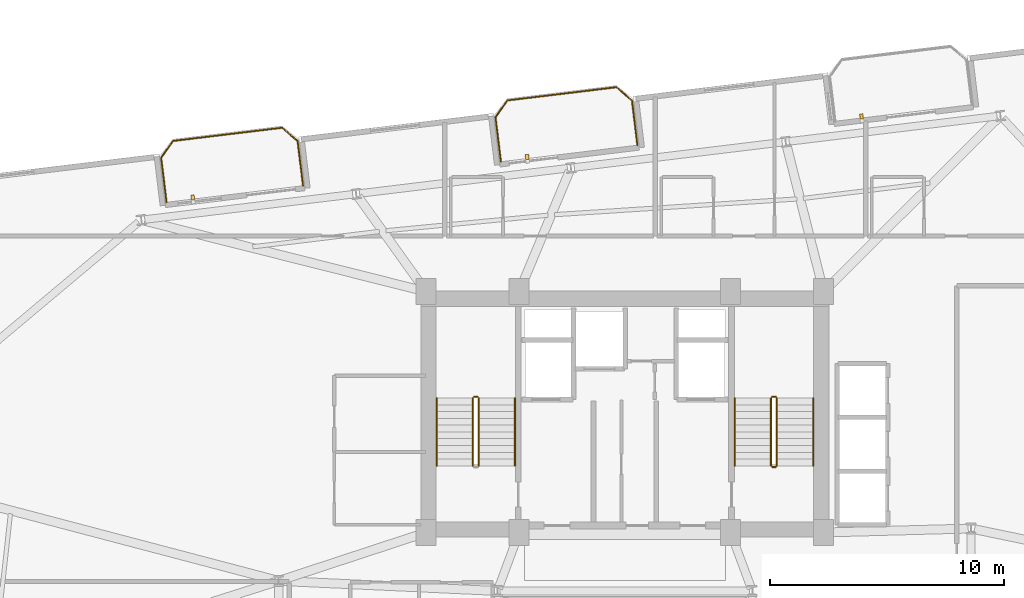
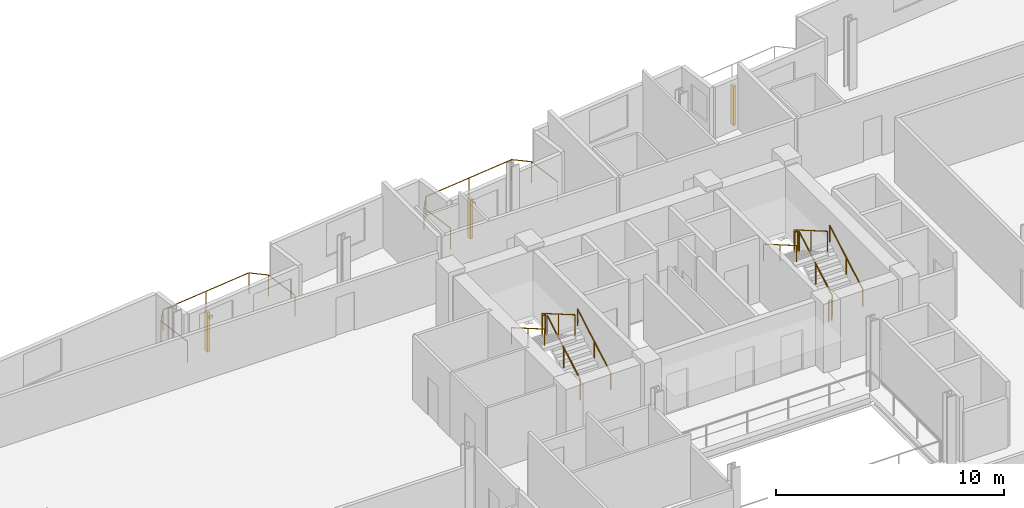
# One storey, part 21 of 22: 13 railings, 3 shading devices.
"""IFC4 building model written with IfcOpenShell, lengths in metres."""

from ifc_helpers import new_model, si_unit, direction, frame, origin, origin_2d, place, context, subcontext, project, spatial, rectangle, circle, extrude, source, transform, mapped, material, type_object, element, save


model = new_model("IFC4")

# Units and contexts
model_context = context("Model", 3, precision=1e-05, world=origin(), true_north=direction((0.0, 1.0)))
body_context = subcontext(model_context, "Body", "Model", "MODEL_VIEW")
ifc_project = project(units=[si_unit("LENGTHUNIT", "METRE"), si_unit("AREAUNIT", "SQUARE_METRE"), si_unit("VOLUMEUNIT", "CUBIC_METRE"), si_unit("PLANEANGLEUNIT", "RADIAN"), si_unit("MASSUNIT", "GRAM", prefix="KILO")], contexts=[model_context])

# Site, building, storey
site_placement = place(None, origin())
site = spatial("IfcSite", under=ifc_project, at=site_placement, CompositionType="ELEMENT")
building_placement = place(site_placement, origin())
building = spatial("IfcBuilding", under=site, at=building_placement, Name="Varnelok Gate Tower", CompositionType="ELEMENT")
storey_placement = place(building_placement, frame((0.0, 0.0, 178.300048828125)))
storey = spatial("IfcBuildingStorey", under=building, at=storey_placement, Name="L45", CompositionType="ELEMENT", Elevation=178.300048828125)

# Railings
ifc_material_1 = material(Name="Low-E Laminated Double Glazing IGU", Category="glass")
railing_type_1 = type_object("IfcRailingType", Name="RL-BALC-1150", PredefinedType="BALUSTRADE", material=ifc_material_1)
railing_1_placement = place(storey_placement, frame((19.603271484375, 42.869384765625, 0.0)))
element("IfcRailing", 1, at=railing_1_placement, inside=storey, type_object=railing_type_1, Name="L45 North Terrace Balustrade 4", PredefinedType="BALUSTRADE", context=body_context, shape_type="SweptSolid", body=[
    extrude(circle(Radius=0.02392578125, at=origin_2d()), frame((0.0, 0.0, 1.1259765625), z_axis=(-0.120418709125, 0.992723191274, 0.0), x_axis=(-0.992723191274, -0.120418709125, 0.0)), (0.0, 0.0, 1.0), 1.919921875),
    extrude(circle(Radius=0.02392578125, at=origin_2d()), frame((-0.231201171875, 1.906005859375, 1.1259765625), z_axis=(0.57815621837, 0.815926091726, 0.0), x_axis=(-0.815926091726, 0.57815621837, 0.0)), (0.0, 0.0, 1.0), 0.8779296875),
    extrude(circle(Radius=0.02392578125, at=origin_2d()), frame((0.2763671875, 2.622314453125, 1.1259765625), z_axis=(0.992730585037, 0.120357739811, 0.0), x_axis=(-0.120357739811, 0.992730585037, 0.0)), (0.0, 0.0, 1.0), 4.699951171875),
    extrude(circle(Radius=0.02392578125, at=origin_2d()), frame((4.942138671875, 3.18798828125, 1.1259765625), z_axis=(0.756285086452, -0.654242208979, 0.0), x_axis=(0.654242208979, 0.756285086452, 0.0)), (0.0, 0.0, 1.0), 0.878173828125),
    extrude(circle(Radius=0.02392578125, at=origin_2d()), frame((5.606201171875, 2.613525390625, 1.1259765625), z_axis=(0.120293392036, -0.992738384386, 0.0), x_axis=(0.992738384386, 0.120293392036, 0.0)), (0.0, 0.0, 1.0), 1.919921875),
    extrude(circle(Radius=0.02099609375, at=origin_2d()), origin(), (0.0, 0.0, 1.0), 1.101806640625),
    extrude(circle(Radius=0.02099609375, at=origin_2d()), frame((-0.231201171875, 1.906005859375, 0.0)), (0.0, 0.0, 1.0), 1.101806640625),
    extrude(circle(Radius=0.02099609375, at=origin_2d()), frame((0.2763671875, 2.622314453125, 0.0)), (0.0, 0.0, 1.0), 1.101806640625),
    extrude(circle(Radius=0.02099609375, at=origin_2d()), frame((2.609375, 2.9052734375, 0.0)), (0.0, 0.0, 1.0), 1.101806640625),
    extrude(circle(Radius=0.02099609375, at=origin_2d()), frame((4.942138671875, 3.18798828125, 0.0)), (0.0, 0.0, 1.0), 1.101806640625),
    extrude(circle(Radius=0.02099609375, at=origin_2d()), frame((5.606201171875, 2.613525390625, 0.0)), (0.0, 0.0, 1.0), 1.101806640625),
    extrude(circle(Radius=0.02099609375, at=origin_2d()), frame((5.837158203125, 0.70751953125, 0.0)), (0.0, 0.0, 1.0), 1.101806640625),
])
railing_2_placement = place(storey_placement, frame((33.8984375, 44.602294921875, 0.0)))
element("IfcRailing", 2, at=railing_2_placement, inside=storey, type_object=railing_type_1, Name="L45 North Terrace Balustrade 5", PredefinedType="BALUSTRADE", context=body_context, shape_type="SweptSolid", body=[
    extrude(circle(Radius=0.02392578125, at=origin_2d()), frame((0.0, 0.0, 1.1259765625), z_axis=(-0.120293392036, 0.992738384386, 0.0), x_axis=(-0.992738384386, -0.120293392036, 0.0)), (0.0, 0.0, 1.0), 1.919921875),
    extrude(circle(Radius=0.02392578125, at=origin_2d()), frame((-0.23095703125, 1.906005859375, 1.1259765625), z_axis=(0.57815621837, 0.815926091726, 0.0), x_axis=(-0.815926091726, 0.57815621837, 0.0)), (0.0, 0.0, 1.0), 0.8779296875),
    extrude(circle(Radius=0.02392578125, at=origin_2d()), frame((0.276611328125, 2.622314453125, 1.1259765625), z_axis=(0.992730585037, 0.120357739811, 0.0), x_axis=(-0.120357739811, 0.992730585037, 0.0)), (0.0, 0.0, 1.0), 4.699951171875),
    extrude(circle(Radius=0.02392578125, at=origin_2d()), frame((4.9423828125, 3.18798828125, 1.1259765625), z_axis=(0.756303655992, -0.654220742513, 0.0), x_axis=(0.654220742513, 0.756303655992, 0.0)), (0.0, 0.0, 1.0), 0.877685546875),
    extrude(circle(Radius=0.02392578125, at=origin_2d()), frame((5.606201171875, 2.61376953125, 1.1259765625), z_axis=(0.12040351024, -0.992725034802, 0.0), x_axis=(0.992725034802, 0.12040351024, 0.0)), (0.0, 0.0, 1.0), 1.920166015625),
    extrude(circle(Radius=0.02099609375, at=origin_2d()), origin(), (0.0, 0.0, 1.0), 1.101806640625),
    extrude(circle(Radius=0.02099609375, at=origin_2d()), frame((-0.23095703125, 1.906005859375, 0.0)), (0.0, 0.0, 1.0), 1.101806640625),
    extrude(circle(Radius=0.02099609375, at=origin_2d()), frame((0.276611328125, 2.622314453125, 0.0)), (0.0, 0.0, 1.0), 1.101806640625),
    extrude(circle(Radius=0.02099609375, at=origin_2d()), frame((2.609375, 2.9052734375, 0.0)), (0.0, 0.0, 1.0), 1.101806640625),
    extrude(circle(Radius=0.02099609375, at=origin_2d()), frame((4.9423828125, 3.18798828125, 0.0)), (0.0, 0.0, 1.0), 1.101806640625),
    extrude(circle(Radius=0.02099609375, at=origin_2d()), frame((5.606201171875, 2.61376953125, 0.0)), (0.0, 0.0, 1.0), 1.101806640625),
    extrude(circle(Radius=0.02099609375, at=origin_2d()), frame((5.83740234375, 0.70751953125, 0.0)), (0.0, 0.0, 1.0), 1.101806640625),
])
ifc_material_2 = material(Name="Brushed Stainless Steel AISI 316", Category="steel")
railing_type_2 = type_object("IfcRailingType", Name="RL-HANDRAIL-900", PredefinedType="HANDRAIL", material=ifc_material_2)
railing_3_placement = place(storey_placement, frame((34.5, 31.60009765625, 0.168212890625)))
element("IfcRailing", 3, at=railing_3_placement, inside=storey, type_object=railing_type_2, Name="L45 ST-1 stair handrail 1", PredefinedType="HANDRAIL", context=body_context, shape_type="SweptSolid", body=[
    extrude(circle(Radius=0.02392578125, at=origin_2d()), frame((0.0, 0.0, 0.8759765625), z_axis=(0.0, 0.86507038078, 0.501650512107), x_axis=(-1.0, 0.0, 0.0)), (0.0, 0.0, 1.0), 3.352294921875),
    extrude(circle(Radius=0.02099609375, at=origin_2d()), origin(), (0.0, 0.0, 1.0), 0.851806640625),
    extrude(circle(Radius=0.02099609375, at=origin_2d()), frame((0.0, 1.449951171875, 0.8408203125)), (0.0, 0.0, 1.0), 0.851806640625),
    extrude(circle(Radius=0.02099609375, at=origin_2d()), frame((0.0, 2.89990234375, 1.681640625)), (0.0, 0.0, 1.0), 0.851806640625),
])
railing_4_placement = place(storey_placement, frame((31.14990234375, 34.5, 2.01806640625)))
element("IfcRailing", 4, at=railing_4_placement, inside=storey, type_object=railing_type_2, Name="L45 ST-1 stair handrail 2", PredefinedType="HANDRAIL", context=body_context, shape_type="SweptSolid", body=[
    extrude(circle(Radius=0.02392578125, at=origin_2d()), frame((0.0, 0.0, 0.8759765625), z_axis=(0.0, -0.865038774852, 0.501705010941), x_axis=(1.0, 0.0, 0.0)), (0.0, 0.0, 1.0), 3.352294921875),
    extrude(circle(Radius=0.02099609375, at=origin_2d()), origin(), (0.0, 0.0, 1.0), 0.851806640625),
    extrude(circle(Radius=0.02099609375, at=origin_2d()), frame((0.0, -1.449951171875, 0.8408203125)), (0.0, 0.0, 1.0), 0.851806640625),
    extrude(circle(Radius=0.02099609375, at=origin_2d()), frame((0.0, -2.89990234375, 1.681884765625)), (0.0, 0.0, 1.0), 0.851806640625),
])
railing_5_placement = place(storey_placement, frame((47.25, 31.60009765625, 0.168212890625)))
element("IfcRailing", 5, at=railing_5_placement, inside=storey, type_object=railing_type_2, Name="L45 ST-2 stair handrail 1", PredefinedType="HANDRAIL", context=body_context, shape_type="SweptSolid", body=[
    extrude(circle(Radius=0.02392578125, at=origin_2d()), frame((0.0, 0.0, 0.8759765625), z_axis=(0.0, 0.86507038078, 0.501650512107), x_axis=(-1.0, 0.0, 0.0)), (0.0, 0.0, 1.0), 3.352294921875),
    extrude(circle(Radius=0.02099609375, at=origin_2d()), origin(), (0.0, 0.0, 1.0), 0.851806640625),
    extrude(circle(Radius=0.02099609375, at=origin_2d()), frame((0.0, 1.449951171875, 0.8408203125)), (0.0, 0.0, 1.0), 0.851806640625),
    extrude(circle(Radius=0.02099609375, at=origin_2d()), frame((0.0, 2.89990234375, 1.681640625)), (0.0, 0.0, 1.0), 0.851806640625),
])
railing_6_placement = place(storey_placement, frame((43.89990234375, 34.5, 2.01806640625)))
element("IfcRailing", 6, at=railing_6_placement, inside=storey, type_object=railing_type_2, Name="L45 ST-2 stair handrail 2", PredefinedType="HANDRAIL", context=body_context, shape_type="SweptSolid", body=[
    extrude(circle(Radius=0.02392578125, at=origin_2d()), frame((0.0, 0.0, 0.8759765625), z_axis=(0.0, -0.865038774852, 0.501705010941), x_axis=(1.0, 0.0, 0.0)), (0.0, 0.0, 1.0), 3.352294921875),
    extrude(circle(Radius=0.02099609375, at=origin_2d()), origin(), (0.0, 0.0, 1.0), 0.851806640625),
    extrude(circle(Radius=0.02099609375, at=origin_2d()), frame((0.0, -1.449951171875, 0.8408203125)), (0.0, 0.0, 1.0), 0.851806640625),
    extrude(circle(Radius=0.02099609375, at=origin_2d()), frame((0.0, -2.89990234375, 1.681884765625)), (0.0, 0.0, 1.0), 0.851806640625),
])
ifc_material_3 = material(Name="Galvanized Steel Grade S350GD", Category="steel")
railing_type_3 = type_object("IfcRailingType", Name="RL-STAIR-GUARD1120", PredefinedType="GUARDRAIL", material=ifc_material_3)
railing_7_placement = place(storey_placement, frame((32.949951171875, 31.60009765625, 0.168212890625)))
element("IfcRailing", 7, at=railing_7_placement, inside=storey, type_object=railing_type_3, Name="L45 ST-1 stair guard 1", PredefinedType="GUARDRAIL", context=body_context, shape_type="SweptSolid", body=[
    extrude(circle(Radius=0.02392578125, at=origin_2d()), frame((0.0, 0.0, 1.09619140625), z_axis=(0.0, 0.86507038078, 0.501650512107), x_axis=(-1.0, 0.0, 0.0)), (0.0, 0.0, 1.0), 3.352294921875),
    extrude(circle(Radius=0.02099609375, at=origin_2d()), origin(), (0.0, 0.0, 1.0), 1.072021484375),
    extrude(circle(Radius=0.02099609375, at=origin_2d()), frame((0.0, 1.449951171875, 0.8408203125)), (0.0, 0.0, 1.0), 1.072021484375),
    extrude(circle(Radius=0.02099609375, at=origin_2d()), frame((0.0, 2.89990234375, 1.681640625)), (0.0, 0.0, 1.0), 1.072021484375),
])
railing_8_placement = place(storey_placement, frame((32.89990234375, 34.550048828125, 1.849853515625)))
element("IfcRailing", 8, at=railing_8_placement, inside=storey, type_object=railing_type_3, Name="L45 ST-1 stair guard 2", PredefinedType="GUARDRAIL", context=body_context, shape_type="SweptSolid", body=[
    extrude(circle(Radius=0.02392578125, at=origin_2d()), frame((0.0, 0.0, 1.09619140625), z_axis=(-1.0, 0.0, 0.0), x_axis=(0.0, -1.0, 0.0)), (0.0, 0.0, 1.0), 0.14990234375),
    extrude(circle(Radius=0.02099609375, at=origin_2d()), origin(), (0.0, 0.0, 1.0), 1.072021484375),
    extrude(circle(Radius=0.02099609375, at=origin_2d()), frame((-0.14990234375, 0.0, 0.0)), (0.0, 0.0, 1.0), 1.072021484375),
])
railing_9_placement = place(storey_placement, frame((32.699951171875, 34.5, 2.01806640625)))
element("IfcRailing", 9, at=railing_9_placement, inside=storey, type_object=railing_type_3, Name="L45 ST-1 stair guard 3", PredefinedType="GUARDRAIL", context=body_context, shape_type="SweptSolid", body=[
    extrude(circle(Radius=0.02392578125, at=origin_2d()), frame((0.0, 0.0, 1.09619140625), z_axis=(0.0, -0.865038774852, 0.501705010941), x_axis=(1.0, 0.0, 0.0)), (0.0, 0.0, 1.0), 3.352294921875),
    extrude(circle(Radius=0.02099609375, at=origin_2d()), origin(), (0.0, 0.0, 1.0), 1.072021484375),
    extrude(circle(Radius=0.02099609375, at=origin_2d()), frame((0.0, -1.449951171875, 0.8408203125)), (0.0, 0.0, 1.0), 1.072021484375),
    extrude(circle(Radius=0.02099609375, at=origin_2d()), frame((0.0, -2.89990234375, 1.681884765625)), (0.0, 0.0, 1.0), 1.072021484375),
])
railing_10_placement = place(storey_placement, frame((45.699951171875, 31.60009765625, 0.168212890625)))
element("IfcRailing", 10, at=railing_10_placement, inside=storey, type_object=railing_type_3, Name="L45 ST-2 stair guard 1", PredefinedType="GUARDRAIL", context=body_context, shape_type="SweptSolid", body=[
    extrude(circle(Radius=0.02392578125, at=origin_2d()), frame((0.0, 0.0, 1.09619140625), z_axis=(0.0, 0.86507038078, 0.501650512107), x_axis=(-1.0, 0.0, 0.0)), (0.0, 0.0, 1.0), 3.352294921875),
    extrude(circle(Radius=0.02099609375, at=origin_2d()), origin(), (0.0, 0.0, 1.0), 1.072021484375),
    extrude(circle(Radius=0.02099609375, at=origin_2d()), frame((0.0, 1.449951171875, 0.8408203125)), (0.0, 0.0, 1.0), 1.072021484375),
    extrude(circle(Radius=0.02099609375, at=origin_2d()), frame((0.0, 2.89990234375, 1.681640625)), (0.0, 0.0, 1.0), 1.072021484375),
])
railing_11_placement = place(storey_placement, frame((45.64990234375, 34.550048828125, 1.849853515625)))
element("IfcRailing", 11, at=railing_11_placement, inside=storey, type_object=railing_type_3, Name="L45 ST-2 stair guard 2", PredefinedType="GUARDRAIL", context=body_context, shape_type="SweptSolid", body=[
    extrude(circle(Radius=0.02392578125, at=origin_2d()), frame((0.0, 0.0, 1.09619140625), z_axis=(-1.0, 0.0, 0.0), x_axis=(0.0, -1.0, 0.0)), (0.0, 0.0, 1.0), 0.14990234375),
    extrude(circle(Radius=0.02099609375, at=origin_2d()), origin(), (0.0, 0.0, 1.0), 1.072021484375),
    extrude(circle(Radius=0.02099609375, at=origin_2d()), frame((-0.14990234375, 0.0, 0.0)), (0.0, 0.0, 1.0), 1.072021484375),
])
railing_12_placement = place(storey_placement, frame((45.449951171875, 34.5, 2.01806640625)))
element("IfcRailing", 12, at=railing_12_placement, inside=storey, type_object=railing_type_3, Name="L45 ST-2 stair guard 3", PredefinedType="GUARDRAIL", context=body_context, shape_type="SweptSolid", body=[
    extrude(circle(Radius=0.02392578125, at=origin_2d()), frame((0.0, 0.0, 1.09619140625), z_axis=(0.0, -0.865038774852, 0.501705010941), x_axis=(1.0, 0.0, 0.0)), (0.0, 0.0, 1.0), 3.352294921875),
    extrude(circle(Radius=0.02099609375, at=origin_2d()), origin(), (0.0, 0.0, 1.0), 1.072021484375),
    extrude(circle(Radius=0.02099609375, at=origin_2d()), frame((0.0, -1.449951171875, 0.8408203125)), (0.0, 0.0, 1.0), 1.072021484375),
    extrude(circle(Radius=0.02099609375, at=origin_2d()), frame((0.0, -2.89990234375, 1.681884765625)), (0.0, 0.0, 1.0), 1.072021484375),
])
railing_13_placement = place(storey_placement, frame((45.64990234375, 31.550048828125, 0.0)))
element("IfcRailing", 13, at=railing_13_placement, inside=storey, type_object=railing_type_3, Name="L45 ST-2 stair guard 4", PredefinedType="GUARDRAIL", context=body_context, shape_type="SweptSolid", body=[
    extrude(circle(Radius=0.02392578125, at=origin_2d()), frame((0.0, 0.0, 1.09619140625), z_axis=(-1.0, 0.0, 0.0), x_axis=(0.0, -1.0, 0.0)), (0.0, 0.0, 1.0), 0.14990234375),
    extrude(circle(Radius=0.02099609375, at=origin_2d()), origin(), (0.0, 0.0, 1.0), 1.072021484375),
    extrude(circle(Radius=0.02099609375, at=origin_2d()), frame((-0.14990234375, 0.0, 0.0)), (0.0, 0.0, 1.0), 1.072021484375),
])

# Shading devices
ifc_material_4 = material(Name="Glazed Architectural Terracotta Ceramic", Category="masonry")
shading_device_type = type_object("IfcShadingDeviceType", Name="SHD-TERRA-FIN", PredefinedType="USERDEFINED", material=ifc_material_4)
shared_shape = source(origin(), body_context, "Body", "SweptSolid", [
    extrude(rectangle(XDim=0.139892578125, YDim=0.219970703125, at=origin_2d()), origin(), (0.0, 0.0, 1.0), 2.10009765625),
])
for number, where, z_axis, x_axis, name in (
    (14, (20.7265625, 43.075927734375, 0.099853515625), (0.0, 0.0, 1.0), (0.992732158755, 0.12034475881, 0.0), "L45 Terracotta Ceramic Baguette Sunscreen 4.1"),
    (15, (35.021728515625, 44.80908203125, 0.099853515625), (0.0, 0.0, 1.0), (0.992732158755, 0.12034475881, 0.0), "L45 Terracotta Ceramic Baguette Sunscreen 5.1"),
    (16, (49.317138671875, 46.5419921875, 0.099853515625), (0.0, 0.0, 1.0), (0.992732158755, 0.12034475881, 0.0), "L45 Terracotta Ceramic Baguette Sunscreen 6.1"),
):
    element("IfcShadingDevice", number, at=place(storey_placement, frame(where, z_axis=z_axis, x_axis=x_axis)), inside=storey, type_object=shading_device_type, Name=name, ObjectType="BAGUETTE", PredefinedType="USERDEFINED", context=body_context, shape_type="MappedRepresentation", body=[
        mapped(shared_shape, transform((0.0, 0.0, 0.0), scale=1.0)),
    ])

save(model, "model.ifc")
